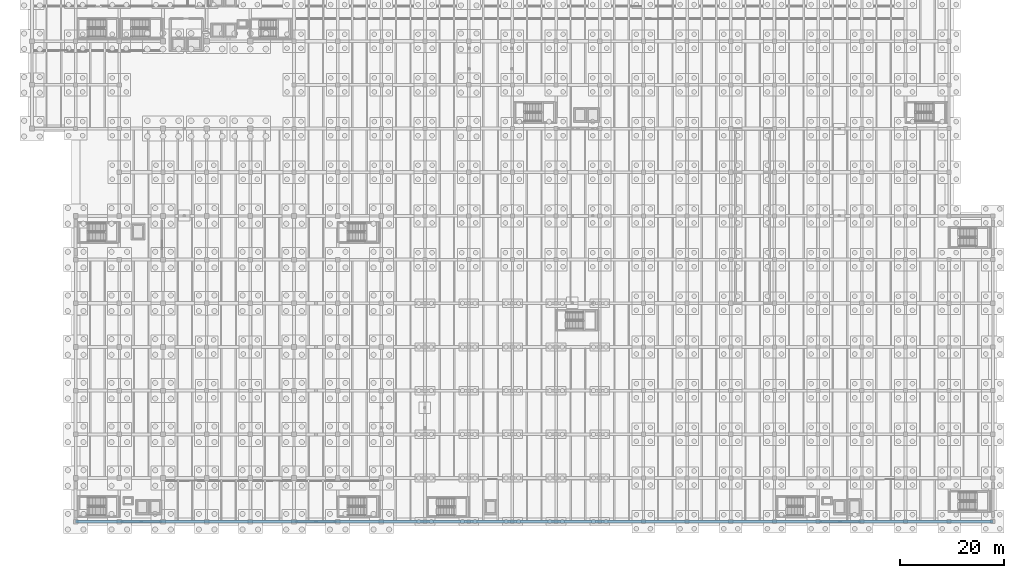
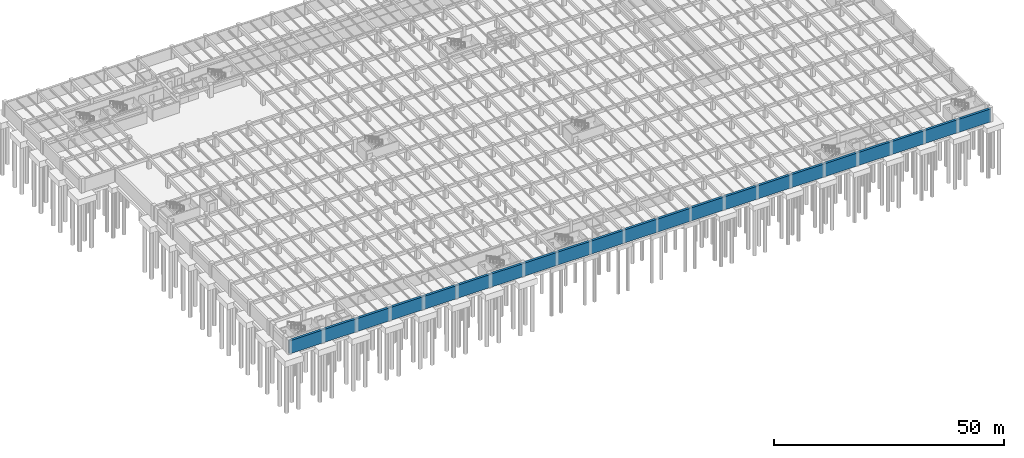
# One storey, part 44 of 70: 1 wall.
"""IFC4 building model written with IfcOpenShell, lengths in metres."""

import ifcopenshell
import ifcopenshell.guid

model = None  # the IFC model being written
_history = None  # IfcOwnerHistory: only IFC2X3 demands one
_inside = {}  # id of a spatial element -> (the spatial element, [elements in it])
_under = {}  # id of a project, library or spatial element -> (it, [spatial elements below it])
_declared = {}  # id of a project -> (the project, [libraries it declares])
_typed = {}  # id of a type object -> (the type object, [elements of that type])
_made_of = {}  # id of a material, layer set ... -> (it, [elements and type objects made of it])


def new_model(schema):
    """Start an empty IFC model of exactly this schema.

    Asked for "IFC4X3", IfcOpenShell would pick the latest addendum, in which some entities
    have other attributes; the version numbers below select the first issue.
    IFC2X3 requires an IfcOwnerHistory on every rooted entity: one is made here for all.
    """
    global model, _history
    if schema == "IFC4X3":
        model = ifcopenshell.file(schema_version=(4, 3, 0, 0))
    else:
        model = ifcopenshell.file(schema=schema)
    _inside.clear()
    _under.clear()
    _declared.clear()
    _typed.clear()
    _made_of.clear()
    _history = None
    if model.schema == "IFC2X3":
        org = make("IfcOrganization", Name="unknown")
        user = make(
            "IfcPersonAndOrganization",
            ThePerson=make("IfcPerson", FamilyName="unknown"),
            TheOrganization=org,
        )
        app = make(
            "IfcApplication",
            ApplicationDeveloper=org,
            Version="unknown",
            ApplicationFullName="unknown",
            ApplicationIdentifier="unknown",
        )
        _history = make(
            "IfcOwnerHistory",
            OwningUser=user,
            OwningApplication=app,
            ChangeAction="ADDED",
            CreationDate=0,
        )
    return model


def make(cls, **values):
    """One entity of the class cls with the attributes given. An attribute that is None is left unset."""
    return model.create_entity(
        cls, **{name: value for name, value in values.items() if value is not None}
    )


def rooted(cls, **values):
    """An entity with a GlobalId (a new one), such as an element, a storey or a relation."""
    return make(cls, GlobalId=ifcopenshell.guid.new(), OwnerHistory=_history, **values)


def si_unit(unit_type, name, prefix=None):
    """IfcSIUnit, for example si_unit("LENGTHUNIT", "METRE", prefix="MILLI")."""
    return make("IfcSIUnit", UnitType=unit_type, Prefix=prefix, Name=name)


def assignment(units):
    """IfcUnitAssignment: the units of a project."""
    return None if units is None else make("IfcUnitAssignment", Units=units)


def point(xyz):
    """IfcCartesianPoint."""
    return None if xyz is None else make("IfcCartesianPoint", Coordinates=xyz)


def direction(xyz):
    """IfcDirection."""
    return None if xyz is None else make("IfcDirection", DirectionRatios=xyz)


def frame(location, z_axis=None, x_axis=None):
    """IfcAxis2Placement3D, a coordinate frame: its origin and axes. An axis left out is left unset."""
    return make(
        "IfcAxis2Placement3D",
        Location=point(location),
        Axis=direction(z_axis),
        RefDirection=direction(x_axis),
    )


def frame_2d(location, x_axis=None):
    """IfcAxis2Placement2D, a coordinate frame in the plane: its origin and x axis."""
    return make(
        "IfcAxis2Placement2D", Location=point(location), RefDirection=direction(x_axis)
    )


def origin():
    """The frame at (0, 0, 0) with its axes left unset."""
    return frame((0.0, 0.0, 0.0))


def place(relative_to, where):
    """IfcLocalPlacement: puts the frame where relative to a parent placement (None: the world)."""
    return make(
        "IfcLocalPlacement", PlacementRelTo=relative_to, RelativePlacement=where
    )


def context(
    kind, dimensions, precision=None, world=None, true_north=None, identifier=None
):
    """IfcGeometricRepresentationContext, for example the 3D "Model" context."""
    return make(
        "IfcGeometricRepresentationContext",
        ContextIdentifier=identifier,
        ContextType=kind,
        CoordinateSpaceDimension=dimensions,
        Precision=precision,
        WorldCoordinateSystem=world,
        TrueNorth=true_north,
    )


def subcontext(parent, identifier, kind, view, scale=None):
    """IfcGeometricRepresentationSubContext, for example "Body" below "Model"."""
    return make(
        "IfcGeometricRepresentationSubContext",
        ContextIdentifier=identifier,
        ContextType=kind,
        ParentContext=parent,
        TargetScale=scale,
        TargetView=view,
    )


def project(units=None, contexts=None):
    """IfcProject with its units and contexts."""
    return rooted(
        "IfcProject",
        Name="project",
        RepresentationContexts=contexts,
        UnitsInContext=assignment(units),
    )


def spatial(cls, under=None, at=None, **own):
    """A site, building, storey or space (cls), placed at a placement, below another one or the project."""
    s = rooted(cls, ObjectPlacement=at, **own)
    if under is not None:
        _under.setdefault(under.id(), (under, []))[1].append(s)
    return s


def profile(cls, at=None, kind="AREA", **sizes):
    """A parametric profile (cls). Its sizes go by their IFC names, for example OverallWidth=200.0."""
    return make(cls, ProfileType=kind, Position=at, **sizes)


def rectangle(**sizes):
    """IfcRectangleProfileDef."""
    return profile("IfcRectangleProfileDef", **sizes)


def extrude(swept, where, along, depth):
    """IfcExtrudedAreaSolid: the profile swept, set in the frame where, extruded along a direction by depth."""
    return make(
        "IfcExtrudedAreaSolid",
        SweptArea=swept,
        Position=where,
        ExtrudedDirection=direction(along),
        Depth=depth,
    )


def shape(context_of_items, identifier, shape_type, items):
    """IfcShapeRepresentation: the items that make up one representation, for example the "Body"."""
    return make(
        "IfcShapeRepresentation",
        ContextOfItems=context_of_items,
        RepresentationIdentifier=identifier,
        RepresentationType=shape_type,
        Items=items,
    )


def material(Name=None, Category=None):
    """IfcMaterial."""
    return make("IfcMaterial", Name=Name, Category=Category)


def layer(
    of_material, thickness, ventilated=None, Name=None, Category=None, Priority=None
):
    """IfcMaterialLayer: one layer of a wall or slab, of a material (None: an air gap)."""
    return make(
        "IfcMaterialLayer",
        Material=of_material,
        LayerThickness=thickness,
        IsVentilated=ventilated,
        Name=Name,
        Category=Category,
        Priority=Priority,
    )


def layer_set(layers, Name=None):
    """IfcMaterialLayerSet."""
    return make("IfcMaterialLayerSet", MaterialLayers=layers, LayerSetName=Name)


def made_of(thing, what):
    """Note that an element or type object is made of a material, layer set ...; save() writes the relation."""
    if what is not None:
        _made_of.setdefault(what.id(), (what, []))[1].append(thing)
    return thing


def type_object(cls, material=None, **own):
    """A type object (cls), such as IfcWallType, which elements share."""
    return made_of(rooted(cls, **own), material)


def element(
    cls,
    number,
    at=None,
    inside=None,
    cuts=None,
    type_object=None,
    material=None,
    context=None,
    identifier="Body",
    shape_type=None,
    held_by="IfcProductDefinitionShape",
    body=None,
    shapes=None,
    **own,
):
    """One element of the class cls, such as IfcWall. Its Tag is "e" and its number.

    at: its placement. inside: the storey or other place that contains it. cuts: it is an
    opening in that element (IfcRelVoidsElement). A single representation is given by context,
    identifier, shape_type and body (its items); several are given by shapes. held_by: the class
    of the entity that holds the representations. save() writes the other relations.
    """
    e = rooted(cls, Tag="e%d" % number, ObjectPlacement=at, **own)
    if body is not None:
        shapes = [shape(context, identifier, shape_type, body)]
    if shapes is not None:
        e.Representation = make(held_by, Representations=shapes)
    if inside is not None:
        _inside.setdefault(inside.id(), (inside, []))[1].append(e)
    if cuts is not None:
        rooted(
            "IfcRelVoidsElement", RelatingBuildingElement=cuts, RelatedOpeningElement=e
        )
    if type_object is not None:
        _typed.setdefault(type_object.id(), (type_object, []))[1].append(e)
    return made_of(e, material)


def aggregate(whole, parts):
    """IfcRelAggregates: a whole, such as a stair, and the parts it consists of."""
    return rooted("IfcRelAggregates", RelatingObject=whole, RelatedObjects=parts)


def save(model, path):
    """Write the relations noted so far, then the file.

    IfcRelAggregates (storeys below a building ...), IfcRelContainedInSpatialStructure (elements
    in a storey), IfcRelDefinesByType, IfcRelAssociatesMaterial and IfcRelDeclares: one each for
    every whole, place, type object, material and project.
    """
    for whole, parts in _under.values():
        aggregate(whole, parts)
    for where, things in _inside.values():
        rooted(
            "IfcRelContainedInSpatialStructure",
            RelatedElements=things,
            RelatingStructure=where,
        )
    for kind, things in _typed.values():
        rooted("IfcRelDefinesByType", RelatedObjects=things, RelatingType=kind)
    for what, things in _made_of.values():
        rooted("IfcRelAssociatesMaterial", RelatedObjects=things, RelatingMaterial=what)
    for by, libraries in _declared.values():
        rooted("IfcRelDeclares", RelatingContext=by, RelatedDefinitions=libraries)
    model.write(path)


model = new_model("IFC4")

# Units and contexts
model_context = context("Model", 3, precision=1e-05, world=origin(), true_north=direction((0.0, 1.0)))
body_context = subcontext(model_context, "Body", "Model", "MODEL_VIEW")
ifc_project = project(units=[si_unit("LENGTHUNIT", "METRE"), si_unit("AREAUNIT", "SQUARE_METRE"), si_unit("VOLUMEUNIT", "CUBIC_METRE"), si_unit("PLANEANGLEUNIT", "RADIAN"), si_unit("MASSUNIT", "GRAM", prefix="KILO")], contexts=[model_context])

# Site, building, storey
site_placement = place(None, origin())
site = spatial("IfcSite", under=ifc_project, at=site_placement, CompositionType="ELEMENT")
building_placement = place(site_placement, origin())
building = spatial("IfcBuilding", under=site, at=building_placement, Name="Cumbredor Promenade Congress Hotel", CompositionType="ELEMENT")
storey_placement = place(building_placement, frame((0.0, 0.0, -7.56005859375)))
storey = spatial("IfcBuildingStorey", under=building, at=storey_placement, Name="B02", CompositionType="ELEMENT", Elevation=-7.56005859375)

# Wall
ifc_material = material(Name="Concrete C40/50", Category="concrete")
ifc_layer = layer(ifc_material, 0.60009765625, Name="Concrete C40/50", Category="concrete")
ifc_layer_set = layer_set([ifc_layer], Name="Concrete C40/50")
wall_type = type_object("IfcWallType", Name="Basement Retaining Wall 600mm", PredefinedType="USERDEFINED", material=ifc_layer_set)
wall_placement = place(storey_placement, frame((8.39990234375, 8.39990234375, -0.5), z_axis=(0.0, 0.0, 1.0), x_axis=(1.0, 0.0, 0.0)))
element("IfcWall", 1, at=wall_placement, inside=storey, type_object=wall_type, Name="B02 Basement Retaining Wall RW-B02-01", ObjectType="RETAINING WALL", PredefinedType="USERDEFINED", context=body_context, shape_type="SweptSolid", body=[
    extrude(rectangle(XDim=176.400146484375, YDim=0.60009765625, at=frame_2d((88.2001953125, 0.0))), origin(), (0.0, 0.0, 1.0), 3.4599609375),
])

save(model, "model.ifc")
